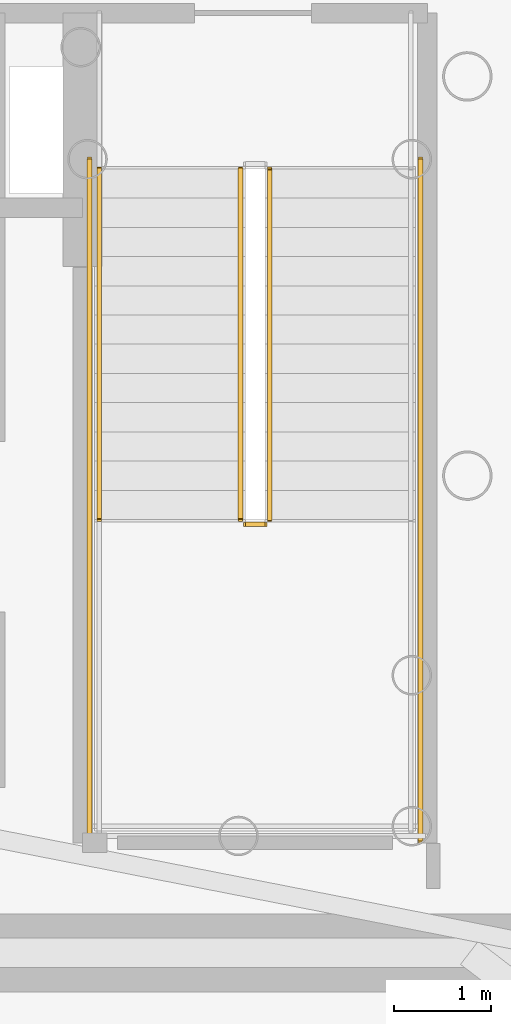
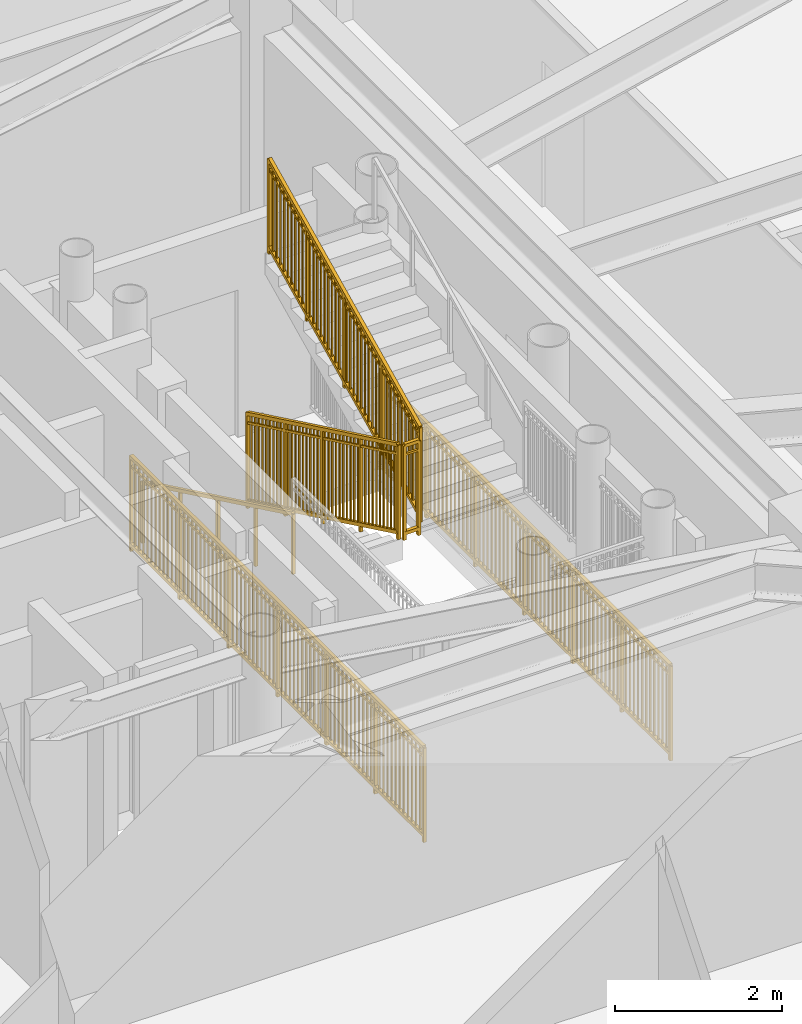
# One storey, part 15 of 16: 6 railings.
"""IFC4 building model written with IfcOpenShell, lengths in metres."""

from ifc_helpers import new_model, si_unit, direction, frame, origin, origin_2d, place, context, subcontext, project, spatial, rectangle, extrude, source, transform, mapped, material, type_object, element, save


model = new_model("IFC4")

# Units and contexts
model_context = context("Model", 3, precision=1e-05, world=origin(), true_north=direction((0.0, 1.0)))
body_context = subcontext(model_context, "Body", "Model", "MODEL_VIEW")
ifc_project = project(units=[si_unit("LENGTHUNIT", "METRE"), si_unit("AREAUNIT", "SQUARE_METRE"), si_unit("VOLUMEUNIT", "CUBIC_METRE"), si_unit("PLANEANGLEUNIT", "RADIAN"), si_unit("MASSUNIT", "GRAM", prefix="KILO")], contexts=[model_context])

# Site, building, storey
site_placement = place(None, origin())
site = spatial("IfcSite", under=ifc_project, at=site_placement, CompositionType="ELEMENT")
building_placement = place(site_placement, origin())
building = spatial("IfcBuilding", under=site, at=building_placement, Name="Linh Dai School and Residence Tower", CompositionType="ELEMENT")
storey_placement = place(building_placement, frame((0.0, 0.0, 108.449951171875)))
storey = spatial("IfcBuildingStorey", under=building, at=storey_placement, Name="L25", CompositionType="ELEMENT", Elevation=108.449951171875)

# Railings
ifc_material_1 = material(Name="Structural Steel S355JR", Category="steel")
railing_type_1 = type_object("IfcRailingType", Name="RL-ST-GUARD-1400", PredefinedType="GUARDRAIL", material=ifc_material_1)
shared_shape_1 = source(origin(), body_context, "Body", "SweptSolid", [
    extrude(rectangle(XDim=0.048095703125, YDim=0.048095703125, at=origin_2d()), frame((0.0, 0.0, 1.3759765625), z_axis=(0.0, 0.901262522062, 0.433273431364), x_axis=(-1.0, 0.0, 0.0)), (0.0, 0.0, 1.0), 3.994384765625),
    extrude(rectangle(XDim=0.048095703125, YDim=0.048095703125, at=origin_2d()), frame((0.0, 0.0, 0.10009765625), z_axis=(0.0, 0.901262522062, 0.433273431364), x_axis=(-1.0, 0.0, 0.0)), (0.0, 0.0, 1.0), 3.994384765625),
    extrude(rectangle(XDim=0.030029296875, YDim=0.030029296875, at=origin_2d()), frame((0.0, 0.0, 1.239990234375), z_axis=(0.0, 0.901262522062, 0.433273431364), x_axis=(-1.0, 0.0, 0.0)), (0.0, 0.0, 1.0), 3.994384765625),
    extrude(rectangle(XDim=0.02001953125, YDim=0.02001953125, at=origin_2d()), frame((0.0, 0.087890625, 0.142333984375)), (0.0, 0.0, 1.0), 1.251708984375),
    extrude(rectangle(XDim=0.02001953125, YDim=0.02001953125, at=origin_2d()), frame((0.0, 0.175537109375, 0.1845703125)), (0.0, 0.0, 1.0), 1.251708984375),
    extrude(rectangle(XDim=0.02001953125, YDim=0.02001953125, at=origin_2d()), frame((0.0, 0.263427734375, 0.226806640625)), (0.0, 0.0, 1.0), 1.251708984375),
    extrude(rectangle(XDim=0.02001953125, YDim=0.02001953125, at=origin_2d()), frame((0.0, 0.351318359375, 0.26904296875)), (0.0, 0.0, 1.0), 1.251708984375),
    extrude(rectangle(XDim=0.02001953125, YDim=0.02001953125, at=origin_2d()), frame((0.0, 0.43896484375, 0.311279296875)), (0.0, 0.0, 1.0), 1.251708984375),
    extrude(rectangle(XDim=0.02001953125, YDim=0.02001953125, at=origin_2d()), frame((0.0, 0.52685546875, 0.353271484375)), (0.0, 0.0, 1.0), 1.251708984375),
    extrude(rectangle(XDim=0.02001953125, YDim=0.02001953125, at=origin_2d()), frame((0.0, 0.61474609375, 0.3955078125)), (0.0, 0.0, 1.0), 1.251708984375),
    extrude(rectangle(XDim=0.02001953125, YDim=0.02001953125, at=origin_2d()), frame((0.0, 0.702392578125, 0.437744140625)), (0.0, 0.0, 1.0), 1.251708984375),
    extrude(rectangle(XDim=0.02001953125, YDim=0.02001953125, at=origin_2d()), frame((0.0, 0.790283203125, 0.47998046875)), (0.0, 0.0, 1.0), 1.251708984375),
    extrude(rectangle(XDim=0.02001953125, YDim=0.02001953125, at=origin_2d()), frame((0.0, 0.9658203125, 0.564453125)), (0.0, 0.0, 1.0), 1.251708984375),
    extrude(rectangle(XDim=0.02001953125, YDim=0.02001953125, at=origin_2d()), frame((0.0, 1.0537109375, 0.606689453125)), (0.0, 0.0, 1.0), 1.251708984375),
    extrude(rectangle(XDim=0.02001953125, YDim=0.02001953125, at=origin_2d()), frame((0.0, 1.1416015625, 0.64892578125)), (0.0, 0.0, 1.0), 1.251708984375),
    extrude(rectangle(XDim=0.02001953125, YDim=0.02001953125, at=origin_2d()), frame((0.0, 1.229248046875, 0.691162109375)), (0.0, 0.0, 1.0), 1.251708984375),
    extrude(rectangle(XDim=0.02001953125, YDim=0.02001953125, at=origin_2d()), frame((0.0, 1.317138671875, 0.7333984375)), (0.0, 0.0, 1.0), 1.251708984375),
    extrude(rectangle(XDim=0.02001953125, YDim=0.02001953125, at=origin_2d()), frame((0.0, 1.405029296875, 0.775390625)), (0.0, 0.0, 1.0), 1.251708984375),
    extrude(rectangle(XDim=0.02001953125, YDim=0.02001953125, at=origin_2d()), frame((0.0, 1.49267578125, 0.817626953125)), (0.0, 0.0, 1.0), 1.251708984375),
    extrude(rectangle(XDim=0.02001953125, YDim=0.02001953125, at=origin_2d()), frame((0.0, 1.58056640625, 0.85986328125)), (0.0, 0.0, 1.0), 1.251708984375),
    extrude(rectangle(XDim=0.02001953125, YDim=0.02001953125, at=origin_2d()), frame((0.0, 1.66845703125, 0.902099609375)), (0.0, 0.0, 1.0), 1.251708984375),
    extrude(rectangle(XDim=0.02001953125, YDim=0.02001953125, at=origin_2d()), frame((0.0, 1.756103515625, 0.9443359375)), (0.0, 0.0, 1.0), 1.251708984375),
    extrude(rectangle(XDim=0.02001953125, YDim=0.02001953125, at=origin_2d()), frame((0.0, 1.843994140625, 0.986572265625)), (0.0, 0.0, 1.0), 1.251708984375),
    extrude(rectangle(XDim=0.02001953125, YDim=0.02001953125, at=origin_2d()), frame((0.0, 1.931640625, 1.02880859375)), (0.0, 0.0, 1.0), 1.251708984375),
    extrude(rectangle(XDim=0.02001953125, YDim=0.02001953125, at=origin_2d()), frame((0.0, 2.01953125, 1.071044921875)), (0.0, 0.0, 1.0), 1.251708984375),
    extrude(rectangle(XDim=0.02001953125, YDim=0.02001953125, at=origin_2d()), frame((0.0, 2.107421875, 1.11328125)), (0.0, 0.0, 1.0), 1.251708984375),
    extrude(rectangle(XDim=0.02001953125, YDim=0.02001953125, at=origin_2d()), frame((0.0, 2.195068359375, 1.155517578125)), (0.0, 0.0, 1.0), 1.251708984375),
    extrude(rectangle(XDim=0.02001953125, YDim=0.02001953125, at=origin_2d()), frame((0.0, 2.282958984375, 1.197509765625)), (0.0, 0.0, 1.0), 1.251708984375),
    extrude(rectangle(XDim=0.02001953125, YDim=0.02001953125, at=origin_2d()), frame((0.0, 2.370849609375, 1.23974609375)), (0.0, 0.0, 1.0), 1.251708984375),
    extrude(rectangle(XDim=0.02001953125, YDim=0.02001953125, at=origin_2d()), frame((0.0, 2.45849609375, 1.281982421875)), (0.0, 0.0, 1.0), 1.251708984375),
    extrude(rectangle(XDim=0.02001953125, YDim=0.02001953125, at=origin_2d()), frame((0.0, 2.54638671875, 1.32421875)), (0.0, 0.0, 1.0), 1.251708984375),
    extrude(rectangle(XDim=0.02001953125, YDim=0.02001953125, at=origin_2d()), frame((0.0, 2.63427734375, 1.366455078125)), (0.0, 0.0, 1.0), 1.251708984375),
    extrude(rectangle(XDim=0.02001953125, YDim=0.02001953125, at=origin_2d()), frame((0.0, 2.809814453125, 1.450927734375)), (0.0, 0.0, 1.0), 1.251708984375),
    extrude(rectangle(XDim=0.02001953125, YDim=0.02001953125, at=origin_2d()), frame((0.0, 2.897705078125, 1.4931640625)), (0.0, 0.0, 1.0), 1.251708984375),
    extrude(rectangle(XDim=0.02001953125, YDim=0.02001953125, at=origin_2d()), frame((0.0, 2.9853515625, 1.535400390625)), (0.0, 0.0, 1.0), 1.251708984375),
    extrude(rectangle(XDim=0.02001953125, YDim=0.02001953125, at=origin_2d()), frame((0.0, 3.0732421875, 1.57763671875)), (0.0, 0.0, 1.0), 1.251708984375),
    extrude(rectangle(XDim=0.02001953125, YDim=0.02001953125, at=origin_2d()), frame((0.0, 3.1611328125, 1.61962890625)), (0.0, 0.0, 1.0), 1.251708984375),
    extrude(rectangle(XDim=0.02001953125, YDim=0.02001953125, at=origin_2d()), frame((0.0, 3.248779296875, 1.661865234375)), (0.0, 0.0, 1.0), 1.251708984375),
    extrude(rectangle(XDim=0.02001953125, YDim=0.02001953125, at=origin_2d()), frame((0.0, 3.336669921875, 1.7041015625)), (0.0, 0.0, 1.0), 1.251708984375),
    extrude(rectangle(XDim=0.02001953125, YDim=0.02001953125, at=origin_2d()), frame((0.0, 3.424560546875, 1.746337890625)), (0.0, 0.0, 1.0), 1.251708984375),
    extrude(rectangle(XDim=0.02001953125, YDim=0.02001953125, at=origin_2d()), frame((0.0, 3.51220703125, 1.78857421875)), (0.0, 0.0, 1.0), 1.251708984375),
    extrude(rectangle(XDim=0.0419921875, YDim=0.0419921875, at=origin_2d()), origin(), (0.0, 0.0, 1.0), 1.3759765625),
    extrude(rectangle(XDim=0.0419921875, YDim=0.0419921875, at=origin_2d()), frame((0.0, 0.89990234375, 0.4326171875)), (0.0, 0.0, 1.0), 1.3759765625),
    extrude(rectangle(XDim=0.0419921875, YDim=0.0419921875, at=origin_2d()), frame((0.0, 1.800048828125, 0.865234375)), (0.0, 0.0, 1.0), 1.3759765625),
    extrude(rectangle(XDim=0.0419921875, YDim=0.0419921875, at=origin_2d()), frame((0.0, 2.7001953125, 1.298095703125)), (0.0, 0.0, 1.0), 1.3759765625),
    extrude(rectangle(XDim=0.0419921875, YDim=0.0419921875, at=origin_2d()), frame((0.0, 3.60009765625, 1.730712890625)), (0.0, 0.0, 1.0), 1.3759765625),
])
railing_1_placement = place(storey_placement, frame((42.820068359375, 24.64990234375, 2.019287109375)))
element("IfcRailing", 1, at=railing_1_placement, inside=storey, type_object=railing_type_1, Name="L25 ST2 stair guard 6", PredefinedType="GUARDRAIL", context=body_context, shape_type="MappedRepresentation", body=[
    mapped(shared_shape_1, transform((0.0, 0.0, 0.0), x_axis=(1.0, 0.0, 0.0), y_axis=(0.0, 1.0, 0.0), z_axis=(0.0, 0.0, 1.0), scale=1.0)),
])
shared_shape_2 = source(origin(), body_context, "Body", "SweptSolid", [
    extrude(rectangle(XDim=0.048095703125, YDim=0.048095703125, at=origin_2d()), frame((0.0, 0.0, 1.3759765625), z_axis=(0.0, -0.901262522062, 0.433273431364), x_axis=(1.0, 0.0, 0.0)), (0.0, 0.0, 1.0), 3.994384765625),
    extrude(rectangle(XDim=0.048095703125, YDim=0.048095703125, at=origin_2d()), frame((0.0, 0.0, 0.10009765625), z_axis=(0.0, -0.901262522062, 0.433273431364), x_axis=(1.0, 0.0, 0.0)), (0.0, 0.0, 1.0), 3.994384765625),
    extrude(rectangle(XDim=0.030029296875, YDim=0.030029296875, at=origin_2d()), frame((0.0, 0.0, 1.239990234375), z_axis=(0.0, -0.901262522062, 0.433273431364), x_axis=(1.0, 0.0, 0.0)), (0.0, 0.0, 1.0), 3.994384765625),
    extrude(rectangle(XDim=0.02001953125, YDim=0.02001953125, at=origin_2d()), frame((0.0, -0.087890625, 0.142333984375)), (0.0, 0.0, 1.0), 1.251708984375),
    extrude(rectangle(XDim=0.02001953125, YDim=0.02001953125, at=origin_2d()), frame((0.0, -0.175537109375, 0.1845703125)), (0.0, 0.0, 1.0), 1.251708984375),
    extrude(rectangle(XDim=0.02001953125, YDim=0.02001953125, at=origin_2d()), frame((0.0, -0.263427734375, 0.226806640625)), (0.0, 0.0, 1.0), 1.251708984375),
    extrude(rectangle(XDim=0.02001953125, YDim=0.02001953125, at=origin_2d()), frame((0.0, -0.351318359375, 0.26904296875)), (0.0, 0.0, 1.0), 1.251708984375),
    extrude(rectangle(XDim=0.02001953125, YDim=0.02001953125, at=origin_2d()), frame((0.0, -0.43896484375, 0.311279296875)), (0.0, 0.0, 1.0), 1.251708984375),
    extrude(rectangle(XDim=0.02001953125, YDim=0.02001953125, at=origin_2d()), frame((0.0, -0.52685546875, 0.353271484375)), (0.0, 0.0, 1.0), 1.251708984375),
    extrude(rectangle(XDim=0.02001953125, YDim=0.02001953125, at=origin_2d()), frame((0.0, -0.61474609375, 0.3955078125)), (0.0, 0.0, 1.0), 1.251708984375),
    extrude(rectangle(XDim=0.02001953125, YDim=0.02001953125, at=origin_2d()), frame((0.0, -0.702392578125, 0.437744140625)), (0.0, 0.0, 1.0), 1.251708984375),
    extrude(rectangle(XDim=0.02001953125, YDim=0.02001953125, at=origin_2d()), frame((0.0, -0.790283203125, 0.47998046875)), (0.0, 0.0, 1.0), 1.251708984375),
    extrude(rectangle(XDim=0.02001953125, YDim=0.02001953125, at=origin_2d()), frame((0.0, -0.9658203125, 0.564453125)), (0.0, 0.0, 1.0), 1.251708984375),
    extrude(rectangle(XDim=0.02001953125, YDim=0.02001953125, at=origin_2d()), frame((0.0, -1.0537109375, 0.606689453125)), (0.0, 0.0, 1.0), 1.251708984375),
    extrude(rectangle(XDim=0.02001953125, YDim=0.02001953125, at=origin_2d()), frame((0.0, -1.1416015625, 0.64892578125)), (0.0, 0.0, 1.0), 1.251708984375),
    extrude(rectangle(XDim=0.02001953125, YDim=0.02001953125, at=origin_2d()), frame((0.0, -1.229248046875, 0.691162109375)), (0.0, 0.0, 1.0), 1.251708984375),
    extrude(rectangle(XDim=0.02001953125, YDim=0.02001953125, at=origin_2d()), frame((0.0, -1.317138671875, 0.7333984375)), (0.0, 0.0, 1.0), 1.251708984375),
    extrude(rectangle(XDim=0.02001953125, YDim=0.02001953125, at=origin_2d()), frame((0.0, -1.405029296875, 0.775390625)), (0.0, 0.0, 1.0), 1.251708984375),
    extrude(rectangle(XDim=0.02001953125, YDim=0.02001953125, at=origin_2d()), frame((0.0, -1.49267578125, 0.817626953125)), (0.0, 0.0, 1.0), 1.251708984375),
    extrude(rectangle(XDim=0.02001953125, YDim=0.02001953125, at=origin_2d()), frame((0.0, -1.58056640625, 0.85986328125)), (0.0, 0.0, 1.0), 1.251708984375),
    extrude(rectangle(XDim=0.02001953125, YDim=0.02001953125, at=origin_2d()), frame((0.0, -1.66845703125, 0.902099609375)), (0.0, 0.0, 1.0), 1.251708984375),
    extrude(rectangle(XDim=0.02001953125, YDim=0.02001953125, at=origin_2d()), frame((0.0, -1.756103515625, 0.9443359375)), (0.0, 0.0, 1.0), 1.251708984375),
    extrude(rectangle(XDim=0.02001953125, YDim=0.02001953125, at=origin_2d()), frame((0.0, -1.843994140625, 0.986572265625)), (0.0, 0.0, 1.0), 1.251708984375),
    extrude(rectangle(XDim=0.02001953125, YDim=0.02001953125, at=origin_2d()), frame((0.0, -1.931640625, 1.02880859375)), (0.0, 0.0, 1.0), 1.251708984375),
    extrude(rectangle(XDim=0.02001953125, YDim=0.02001953125, at=origin_2d()), frame((0.0, -2.01953125, 1.071044921875)), (0.0, 0.0, 1.0), 1.251708984375),
    extrude(rectangle(XDim=0.02001953125, YDim=0.02001953125, at=origin_2d()), frame((0.0, -2.107421875, 1.11328125)), (0.0, 0.0, 1.0), 1.251708984375),
    extrude(rectangle(XDim=0.02001953125, YDim=0.02001953125, at=origin_2d()), frame((0.0, -2.195068359375, 1.155517578125)), (0.0, 0.0, 1.0), 1.251708984375),
    extrude(rectangle(XDim=0.02001953125, YDim=0.02001953125, at=origin_2d()), frame((0.0, -2.282958984375, 1.197509765625)), (0.0, 0.0, 1.0), 1.251708984375),
    extrude(rectangle(XDim=0.02001953125, YDim=0.02001953125, at=origin_2d()), frame((0.0, -2.370849609375, 1.23974609375)), (0.0, 0.0, 1.0), 1.251708984375),
    extrude(rectangle(XDim=0.02001953125, YDim=0.02001953125, at=origin_2d()), frame((0.0, -2.45849609375, 1.281982421875)), (0.0, 0.0, 1.0), 1.251708984375),
    extrude(rectangle(XDim=0.02001953125, YDim=0.02001953125, at=origin_2d()), frame((0.0, -2.54638671875, 1.32421875)), (0.0, 0.0, 1.0), 1.251708984375),
    extrude(rectangle(XDim=0.02001953125, YDim=0.02001953125, at=origin_2d()), frame((0.0, -2.63427734375, 1.366455078125)), (0.0, 0.0, 1.0), 1.251708984375),
    extrude(rectangle(XDim=0.02001953125, YDim=0.02001953125, at=origin_2d()), frame((0.0, -2.809814453125, 1.450927734375)), (0.0, 0.0, 1.0), 1.251708984375),
    extrude(rectangle(XDim=0.02001953125, YDim=0.02001953125, at=origin_2d()), frame((0.0, -2.897705078125, 1.4931640625)), (0.0, 0.0, 1.0), 1.251708984375),
    extrude(rectangle(XDim=0.02001953125, YDim=0.02001953125, at=origin_2d()), frame((0.0, -2.9853515625, 1.535400390625)), (0.0, 0.0, 1.0), 1.251708984375),
    extrude(rectangle(XDim=0.02001953125, YDim=0.02001953125, at=origin_2d()), frame((0.0, -3.0732421875, 1.57763671875)), (0.0, 0.0, 1.0), 1.251708984375),
    extrude(rectangle(XDim=0.02001953125, YDim=0.02001953125, at=origin_2d()), frame((0.0, -3.1611328125, 1.61962890625)), (0.0, 0.0, 1.0), 1.251708984375),
    extrude(rectangle(XDim=0.02001953125, YDim=0.02001953125, at=origin_2d()), frame((0.0, -3.248779296875, 1.661865234375)), (0.0, 0.0, 1.0), 1.251708984375),
    extrude(rectangle(XDim=0.02001953125, YDim=0.02001953125, at=origin_2d()), frame((0.0, -3.336669921875, 1.7041015625)), (0.0, 0.0, 1.0), 1.251708984375),
    extrude(rectangle(XDim=0.02001953125, YDim=0.02001953125, at=origin_2d()), frame((0.0, -3.424560546875, 1.746337890625)), (0.0, 0.0, 1.0), 1.251708984375),
    extrude(rectangle(XDim=0.02001953125, YDim=0.02001953125, at=origin_2d()), frame((0.0, -3.51220703125, 1.78857421875)), (0.0, 0.0, 1.0), 1.251708984375),
    extrude(rectangle(XDim=0.0419921875, YDim=0.0419921875, at=origin_2d()), origin(), (0.0, 0.0, 1.0), 1.3759765625),
    extrude(rectangle(XDim=0.0419921875, YDim=0.0419921875, at=origin_2d()), frame((0.0, -0.89990234375, 0.4326171875)), (0.0, 0.0, 1.0), 1.3759765625),
    extrude(rectangle(XDim=0.0419921875, YDim=0.0419921875, at=origin_2d()), frame((0.0, -1.800048828125, 0.865234375)), (0.0, 0.0, 1.0), 1.3759765625),
    extrude(rectangle(XDim=0.0419921875, YDim=0.0419921875, at=origin_2d()), frame((0.0, -2.7001953125, 1.298095703125)), (0.0, 0.0, 1.0), 1.3759765625),
    extrude(rectangle(XDim=0.0419921875, YDim=0.0419921875, at=origin_2d()), frame((0.0, -3.60009765625, 1.730712890625)), (0.0, 0.0, 1.0), 1.3759765625),
])
railing_2_placement = place(storey_placement, frame((42.52001953125, 28.25, 0.144287109375)))
element("IfcRailing", 2, at=railing_2_placement, inside=storey, type_object=railing_type_1, Name="L25 ST2 stair guard 1", PredefinedType="GUARDRAIL", context=body_context, shape_type="MappedRepresentation", body=[
    mapped(shared_shape_2, transform((0.0, 0.0, 0.0), x_axis=(1.0, 0.0, 0.0), y_axis=(0.0, 1.0, 0.0), z_axis=(0.0, 0.0, 1.0), scale=1.0)),
])
ifc_material_2 = material(Name="Brushed Stainless Steel Handrail", Category="steel")
railing_type_2 = type_object("IfcRailingType", Name="RL-ST-HANDRAIL-900", PredefinedType="HANDRAIL", material=ifc_material_2)
shared_shape_3 = source(origin(), body_context, "Body", "SweptSolid", [
    extrude(rectangle(XDim=0.048095703125, YDim=0.048095703125, at=origin_2d()), frame((0.0, 0.0, 0.8759765625), z_axis=(0.0, -0.901262522062, 0.433273431364), x_axis=(1.0, 0.0, 0.0)), (0.0, 0.0, 1.0), 3.994384765625),
    extrude(rectangle(XDim=0.0419921875, YDim=0.0419921875, at=origin_2d()), origin(), (0.0, 0.0, 1.0), 0.8759765625),
    extrude(rectangle(XDim=0.0419921875, YDim=0.0419921875, at=origin_2d()), frame((0.0, -0.89990234375, 0.4326171875)), (0.0, 0.0, 1.0), 0.8759765625),
    extrude(rectangle(XDim=0.0419921875, YDim=0.0419921875, at=origin_2d()), frame((0.0, -1.800048828125, 0.865234375)), (0.0, 0.0, 1.0), 0.8759765625),
    extrude(rectangle(XDim=0.0419921875, YDim=0.0419921875, at=origin_2d()), frame((0.0, -2.7001953125, 1.298095703125)), (0.0, 0.0, 1.0), 0.8759765625),
    extrude(rectangle(XDim=0.0419921875, YDim=0.0419921875, at=origin_2d()), frame((0.0, -3.60009765625, 1.730712890625)), (0.0, 0.0, 1.0), 0.8759765625),
])
railing_3_placement = place(storey_placement, frame((41.070068359375, 28.25, 0.144287109375)))
element("IfcRailing", 3, at=railing_3_placement, inside=storey, type_object=railing_type_2, Name="L25 ST2 stair handrail 1", PredefinedType="HANDRAIL", context=body_context, shape_type="MappedRepresentation", body=[
    mapped(shared_shape_3, transform((0.0, 0.0, 0.0), x_axis=(1.0, 0.0, 0.0), y_axis=(0.0, 1.0, 0.0), z_axis=(0.0, 0.0, 1.0), scale=1.0)),
])
shared_shape_4 = source(origin(), body_context, "Body", "SweptSolid", [
    extrude(rectangle(XDim=0.048095703125, YDim=0.048095703125, at=origin_2d()), frame((0.0, 0.0, 1.3759765625), z_axis=(1.0, 0.0, 0.0), x_axis=(0.0, 1.0, 0.0)), (0.0, 0.0, 1.0), 0.199951171875),
    extrude(rectangle(XDim=0.048095703125, YDim=0.048095703125, at=origin_2d()), frame((0.0, 0.0, 0.10009765625), z_axis=(1.0, 0.0, 0.0), x_axis=(0.0, 1.0, 0.0)), (0.0, 0.0, 1.0), 0.199951171875),
    extrude(rectangle(XDim=0.030029296875, YDim=0.030029296875, at=origin_2d()), frame((0.0, 0.0, 1.239990234375), z_axis=(1.0, 0.0, 0.0), x_axis=(0.0, 1.0, 0.0)), (0.0, 0.0, 1.0), 0.199951171875),
    extrude(rectangle(XDim=0.0419921875, YDim=0.0419921875, at=origin_2d()), origin(), (0.0, 0.0, 1.0), 1.3759765625),
    extrude(rectangle(XDim=0.0419921875, YDim=0.0419921875, at=origin_2d()), frame((0.199951171875, 0.0, 0.0)), (0.0, 0.0, 1.0), 1.3759765625),
])
railing_4_placement = place(storey_placement, frame((42.570068359375, 24.60009765625, 1.875)))
element("IfcRailing", 4, at=railing_4_placement, inside=storey, type_object=railing_type_1, Name="L25 ST2 stair guard 2", PredefinedType="GUARDRAIL", context=body_context, shape_type="MappedRepresentation", body=[
    mapped(shared_shape_4, transform((0.0, 0.0, 0.0), x_axis=(1.0, 0.0, 0.0), y_axis=(0.0, 1.0, 0.0), z_axis=(0.0, 0.0, 1.0), scale=1.0)),
])
shared_shape_5 = source(origin(), body_context, "Body", "SweptSolid", [
    extrude(rectangle(XDim=0.048095703125, YDim=0.048095703125, at=origin_2d()), frame((0.0, 0.0, 1.3759765625), z_axis=(0.0, -1.0, 0.0), x_axis=(1.0, 0.0, 0.0)), (0.0, 0.0, 1.0), 7.0),
    extrude(rectangle(XDim=0.048095703125, YDim=0.048095703125, at=origin_2d()), frame((0.0, 0.0, 0.10009765625), z_axis=(0.0, -1.0, 0.0), x_axis=(1.0, 0.0, 0.0)), (0.0, 0.0, 1.0), 7.0),
    extrude(rectangle(XDim=0.030029296875, YDim=0.030029296875, at=origin_2d()), frame((0.0, 0.0, 1.239990234375), z_axis=(0.0, -1.0, 0.0), x_axis=(1.0, 0.0, 0.0)), (0.0, 0.0, 1.0), 7.0),
    extrude(rectangle(XDim=0.02001953125, YDim=0.02001953125, at=origin_2d()), frame((0.0, -0.09716796875, 0.10009765625)), (0.0, 0.0, 1.0), 1.251708984375),
    extrude(rectangle(XDim=0.02001953125, YDim=0.02001953125, at=origin_2d()), frame((0.0, -0.1943359375, 0.10009765625)), (0.0, 0.0, 1.0), 1.251708984375),
    extrude(rectangle(XDim=0.02001953125, YDim=0.02001953125, at=origin_2d()), frame((0.0, -0.291748046875, 0.10009765625)), (0.0, 0.0, 1.0), 1.251708984375),
    extrude(rectangle(XDim=0.02001953125, YDim=0.02001953125, at=origin_2d()), frame((0.0, -0.388916015625, 0.10009765625)), (0.0, 0.0, 1.0), 1.251708984375),
    extrude(rectangle(XDim=0.02001953125, YDim=0.02001953125, at=origin_2d()), frame((0.0, -0.486083984375, 0.10009765625)), (0.0, 0.0, 1.0), 1.251708984375),
    extrude(rectangle(XDim=0.02001953125, YDim=0.02001953125, at=origin_2d()), frame((0.0, -0.583251953125, 0.10009765625)), (0.0, 0.0, 1.0), 1.251708984375),
    extrude(rectangle(XDim=0.02001953125, YDim=0.02001953125, at=origin_2d()), frame((0.0, -0.6806640625, 0.10009765625)), (0.0, 0.0, 1.0), 1.251708984375),
    extrude(rectangle(XDim=0.02001953125, YDim=0.02001953125, at=origin_2d()), frame((0.0, -0.77783203125, 0.10009765625)), (0.0, 0.0, 1.0), 1.251708984375),
    extrude(rectangle(XDim=0.02001953125, YDim=0.02001953125, at=origin_2d()), frame((0.0, -0.875, 0.10009765625)), (0.0, 0.0, 1.0), 1.251708984375),
    extrude(rectangle(XDim=0.02001953125, YDim=0.02001953125, at=origin_2d()), frame((0.0, -0.97216796875, 0.10009765625)), (0.0, 0.0, 1.0), 1.251708984375),
    extrude(rectangle(XDim=0.02001953125, YDim=0.02001953125, at=origin_2d()), frame((0.0, -1.0693359375, 0.10009765625)), (0.0, 0.0, 1.0), 1.251708984375),
    extrude(rectangle(XDim=0.02001953125, YDim=0.02001953125, at=origin_2d()), frame((0.0, -1.263916015625, 0.10009765625)), (0.0, 0.0, 1.0), 1.251708984375),
    extrude(rectangle(XDim=0.02001953125, YDim=0.02001953125, at=origin_2d()), frame((0.0, -1.361083984375, 0.10009765625)), (0.0, 0.0, 1.0), 1.251708984375),
    extrude(rectangle(XDim=0.02001953125, YDim=0.02001953125, at=origin_2d()), frame((0.0, -1.458251953125, 0.10009765625)), (0.0, 0.0, 1.0), 1.251708984375),
    extrude(rectangle(XDim=0.02001953125, YDim=0.02001953125, at=origin_2d()), frame((0.0, -1.5556640625, 0.10009765625)), (0.0, 0.0, 1.0), 1.251708984375),
    extrude(rectangle(XDim=0.02001953125, YDim=0.02001953125, at=origin_2d()), frame((0.0, -1.65283203125, 0.10009765625)), (0.0, 0.0, 1.0), 1.251708984375),
    extrude(rectangle(XDim=0.02001953125, YDim=0.02001953125, at=origin_2d()), frame((0.0, -1.75, 0.10009765625)), (0.0, 0.0, 1.0), 1.251708984375),
    extrude(rectangle(XDim=0.02001953125, YDim=0.02001953125, at=origin_2d()), frame((0.0, -1.84716796875, 0.10009765625)), (0.0, 0.0, 1.0), 1.251708984375),
    extrude(rectangle(XDim=0.02001953125, YDim=0.02001953125, at=origin_2d()), frame((0.0, -1.9443359375, 0.10009765625)), (0.0, 0.0, 1.0), 1.251708984375),
    extrude(rectangle(XDim=0.02001953125, YDim=0.02001953125, at=origin_2d()), frame((0.0, -2.041748046875, 0.10009765625)), (0.0, 0.0, 1.0), 1.251708984375),
    extrude(rectangle(XDim=0.02001953125, YDim=0.02001953125, at=origin_2d()), frame((0.0, -2.138916015625, 0.10009765625)), (0.0, 0.0, 1.0), 1.251708984375),
    extrude(rectangle(XDim=0.02001953125, YDim=0.02001953125, at=origin_2d()), frame((0.0, -2.236083984375, 0.10009765625)), (0.0, 0.0, 1.0), 1.251708984375),
    extrude(rectangle(XDim=0.02001953125, YDim=0.02001953125, at=origin_2d()), frame((0.0, -2.4306640625, 0.10009765625)), (0.0, 0.0, 1.0), 1.251708984375),
    extrude(rectangle(XDim=0.02001953125, YDim=0.02001953125, at=origin_2d()), frame((0.0, -2.52783203125, 0.10009765625)), (0.0, 0.0, 1.0), 1.251708984375),
    extrude(rectangle(XDim=0.02001953125, YDim=0.02001953125, at=origin_2d()), frame((0.0, -2.625, 0.10009765625)), (0.0, 0.0, 1.0), 1.251708984375),
    extrude(rectangle(XDim=0.02001953125, YDim=0.02001953125, at=origin_2d()), frame((0.0, -2.72216796875, 0.10009765625)), (0.0, 0.0, 1.0), 1.251708984375),
    extrude(rectangle(XDim=0.02001953125, YDim=0.02001953125, at=origin_2d()), frame((0.0, -2.8193359375, 0.10009765625)), (0.0, 0.0, 1.0), 1.251708984375),
    extrude(rectangle(XDim=0.02001953125, YDim=0.02001953125, at=origin_2d()), frame((0.0, -2.916748046875, 0.10009765625)), (0.0, 0.0, 1.0), 1.251708984375),
    extrude(rectangle(XDim=0.02001953125, YDim=0.02001953125, at=origin_2d()), frame((0.0, -3.013916015625, 0.10009765625)), (0.0, 0.0, 1.0), 1.251708984375),
    extrude(rectangle(XDim=0.02001953125, YDim=0.02001953125, at=origin_2d()), frame((0.0, -3.111083984375, 0.10009765625)), (0.0, 0.0, 1.0), 1.251708984375),
    extrude(rectangle(XDim=0.02001953125, YDim=0.02001953125, at=origin_2d()), frame((0.0, -3.208251953125, 0.10009765625)), (0.0, 0.0, 1.0), 1.251708984375),
    extrude(rectangle(XDim=0.02001953125, YDim=0.02001953125, at=origin_2d()), frame((0.0, -3.3056640625, 0.10009765625)), (0.0, 0.0, 1.0), 1.251708984375),
    extrude(rectangle(XDim=0.02001953125, YDim=0.02001953125, at=origin_2d()), frame((0.0, -3.40283203125, 0.10009765625)), (0.0, 0.0, 1.0), 1.251708984375),
    extrude(rectangle(XDim=0.02001953125, YDim=0.02001953125, at=origin_2d()), frame((0.0, -3.59716796875, 0.10009765625)), (0.0, 0.0, 1.0), 1.251708984375),
    extrude(rectangle(XDim=0.02001953125, YDim=0.02001953125, at=origin_2d()), frame((0.0, -3.6943359375, 0.10009765625)), (0.0, 0.0, 1.0), 1.251708984375),
    extrude(rectangle(XDim=0.02001953125, YDim=0.02001953125, at=origin_2d()), frame((0.0, -3.791748046875, 0.10009765625)), (0.0, 0.0, 1.0), 1.251708984375),
    extrude(rectangle(XDim=0.02001953125, YDim=0.02001953125, at=origin_2d()), frame((0.0, -3.888916015625, 0.10009765625)), (0.0, 0.0, 1.0), 1.251708984375),
    extrude(rectangle(XDim=0.02001953125, YDim=0.02001953125, at=origin_2d()), frame((0.0, -3.986083984375, 0.10009765625)), (0.0, 0.0, 1.0), 1.251708984375),
    extrude(rectangle(XDim=0.02001953125, YDim=0.02001953125, at=origin_2d()), frame((0.0, -4.083251953125, 0.10009765625)), (0.0, 0.0, 1.0), 1.251708984375),
    extrude(rectangle(XDim=0.02001953125, YDim=0.02001953125, at=origin_2d()), frame((0.0, -4.1806640625, 0.10009765625)), (0.0, 0.0, 1.0), 1.251708984375),
    extrude(rectangle(XDim=0.02001953125, YDim=0.02001953125, at=origin_2d()), frame((0.0, -4.27783203125, 0.10009765625)), (0.0, 0.0, 1.0), 1.251708984375),
    extrude(rectangle(XDim=0.02001953125, YDim=0.02001953125, at=origin_2d()), frame((0.0, -4.375, 0.10009765625)), (0.0, 0.0, 1.0), 1.251708984375),
    extrude(rectangle(XDim=0.02001953125, YDim=0.02001953125, at=origin_2d()), frame((0.0, -4.47216796875, 0.10009765625)), (0.0, 0.0, 1.0), 1.251708984375),
    extrude(rectangle(XDim=0.02001953125, YDim=0.02001953125, at=origin_2d()), frame((0.0, -4.5693359375, 0.10009765625)), (0.0, 0.0, 1.0), 1.251708984375),
    extrude(rectangle(XDim=0.02001953125, YDim=0.02001953125, at=origin_2d()), frame((0.0, -4.763916015625, 0.10009765625)), (0.0, 0.0, 1.0), 1.251708984375),
    extrude(rectangle(XDim=0.02001953125, YDim=0.02001953125, at=origin_2d()), frame((0.0, -4.861083984375, 0.10009765625)), (0.0, 0.0, 1.0), 1.251708984375),
    extrude(rectangle(XDim=0.02001953125, YDim=0.02001953125, at=origin_2d()), frame((0.0, -4.958251953125, 0.10009765625)), (0.0, 0.0, 1.0), 1.251708984375),
    extrude(rectangle(XDim=0.02001953125, YDim=0.02001953125, at=origin_2d()), frame((0.0, -5.0556640625, 0.10009765625)), (0.0, 0.0, 1.0), 1.251708984375),
    extrude(rectangle(XDim=0.02001953125, YDim=0.02001953125, at=origin_2d()), frame((0.0, -5.15283203125, 0.10009765625)), (0.0, 0.0, 1.0), 1.251708984375),
    extrude(rectangle(XDim=0.02001953125, YDim=0.02001953125, at=origin_2d()), frame((0.0, -5.25, 0.10009765625)), (0.0, 0.0, 1.0), 1.251708984375),
    extrude(rectangle(XDim=0.02001953125, YDim=0.02001953125, at=origin_2d()), frame((0.0, -5.34716796875, 0.10009765625)), (0.0, 0.0, 1.0), 1.251708984375),
    extrude(rectangle(XDim=0.02001953125, YDim=0.02001953125, at=origin_2d()), frame((0.0, -5.4443359375, 0.10009765625)), (0.0, 0.0, 1.0), 1.251708984375),
    extrude(rectangle(XDim=0.02001953125, YDim=0.02001953125, at=origin_2d()), frame((0.0, -5.541748046875, 0.10009765625)), (0.0, 0.0, 1.0), 1.251708984375),
    extrude(rectangle(XDim=0.02001953125, YDim=0.02001953125, at=origin_2d()), frame((0.0, -5.638916015625, 0.10009765625)), (0.0, 0.0, 1.0), 1.251708984375),
    extrude(rectangle(XDim=0.02001953125, YDim=0.02001953125, at=origin_2d()), frame((0.0, -5.736083984375, 0.10009765625)), (0.0, 0.0, 1.0), 1.251708984375),
    extrude(rectangle(XDim=0.02001953125, YDim=0.02001953125, at=origin_2d()), frame((0.0, -5.9306640625, 0.10009765625)), (0.0, 0.0, 1.0), 1.251708984375),
    extrude(rectangle(XDim=0.02001953125, YDim=0.02001953125, at=origin_2d()), frame((0.0, -6.02783203125, 0.10009765625)), (0.0, 0.0, 1.0), 1.251708984375),
    extrude(rectangle(XDim=0.02001953125, YDim=0.02001953125, at=origin_2d()), frame((0.0, -6.125, 0.10009765625)), (0.0, 0.0, 1.0), 1.251708984375),
    extrude(rectangle(XDim=0.02001953125, YDim=0.02001953125, at=origin_2d()), frame((0.0, -6.22216796875, 0.10009765625)), (0.0, 0.0, 1.0), 1.251708984375),
    extrude(rectangle(XDim=0.02001953125, YDim=0.02001953125, at=origin_2d()), frame((0.0, -6.3193359375, 0.10009765625)), (0.0, 0.0, 1.0), 1.251708984375),
    extrude(rectangle(XDim=0.02001953125, YDim=0.02001953125, at=origin_2d()), frame((0.0, -6.416748046875, 0.10009765625)), (0.0, 0.0, 1.0), 1.251708984375),
    extrude(rectangle(XDim=0.02001953125, YDim=0.02001953125, at=origin_2d()), frame((0.0, -6.513916015625, 0.10009765625)), (0.0, 0.0, 1.0), 1.251708984375),
    extrude(rectangle(XDim=0.02001953125, YDim=0.02001953125, at=origin_2d()), frame((0.0, -6.611083984375, 0.10009765625)), (0.0, 0.0, 1.0), 1.251708984375),
    extrude(rectangle(XDim=0.02001953125, YDim=0.02001953125, at=origin_2d()), frame((0.0, -6.708251953125, 0.10009765625)), (0.0, 0.0, 1.0), 1.251708984375),
    extrude(rectangle(XDim=0.02001953125, YDim=0.02001953125, at=origin_2d()), frame((0.0, -6.8056640625, 0.10009765625)), (0.0, 0.0, 1.0), 1.251708984375),
    extrude(rectangle(XDim=0.02001953125, YDim=0.02001953125, at=origin_2d()), frame((0.0, -6.90283203125, 0.10009765625)), (0.0, 0.0, 1.0), 1.251708984375),
    extrude(rectangle(XDim=0.0419921875, YDim=0.0419921875, at=origin_2d()), origin(), (0.0, 0.0, 1.0), 1.3759765625),
    extrude(rectangle(XDim=0.0419921875, YDim=0.0419921875, at=origin_2d()), frame((0.0, -1.166748046875, 0.0)), (0.0, 0.0, 1.0), 1.3759765625),
    extrude(rectangle(XDim=0.0419921875, YDim=0.0419921875, at=origin_2d()), frame((0.0, -2.333251953125, 0.0)), (0.0, 0.0, 1.0), 1.3759765625),
    extrude(rectangle(XDim=0.0419921875, YDim=0.0419921875, at=origin_2d()), frame((0.0, -3.5, 0.0)), (0.0, 0.0, 1.0), 1.3759765625),
    extrude(rectangle(XDim=0.0419921875, YDim=0.0419921875, at=origin_2d()), frame((0.0, -4.666748046875, 0.0)), (0.0, 0.0, 1.0), 1.3759765625),
    extrude(rectangle(XDim=0.0419921875, YDim=0.0419921875, at=origin_2d()), frame((0.0, -5.833251953125, 0.0)), (0.0, 0.0, 1.0), 1.3759765625),
    extrude(rectangle(XDim=0.0419921875, YDim=0.0419921875, at=origin_2d()), frame((0.0, -7.0, 0.0)), (0.0, 0.0, 1.0), 1.3759765625),
])
for number, where, name in (
    (5, (40.969970703125, 28.35009765625, 0.0), "L25 ST2 stair guard 10"),
    (6, (44.3701171875, 28.35009765625, 0.0), "L25 ST2 stair guard 11"),
):
    element("IfcRailing", number, at=place(storey_placement, frame(where)), inside=storey, type_object=railing_type_1, Name=name, PredefinedType="GUARDRAIL", context=body_context, shape_type="MappedRepresentation", body=[
        mapped(shared_shape_5, transform((0.0, 0.0, 0.0), x_axis=(1.0, 0.0, 0.0), y_axis=(0.0, 1.0, 0.0), z_axis=(0.0, 0.0, 1.0), scale=1.0)),
    ])

save(model, "model.ifc")
